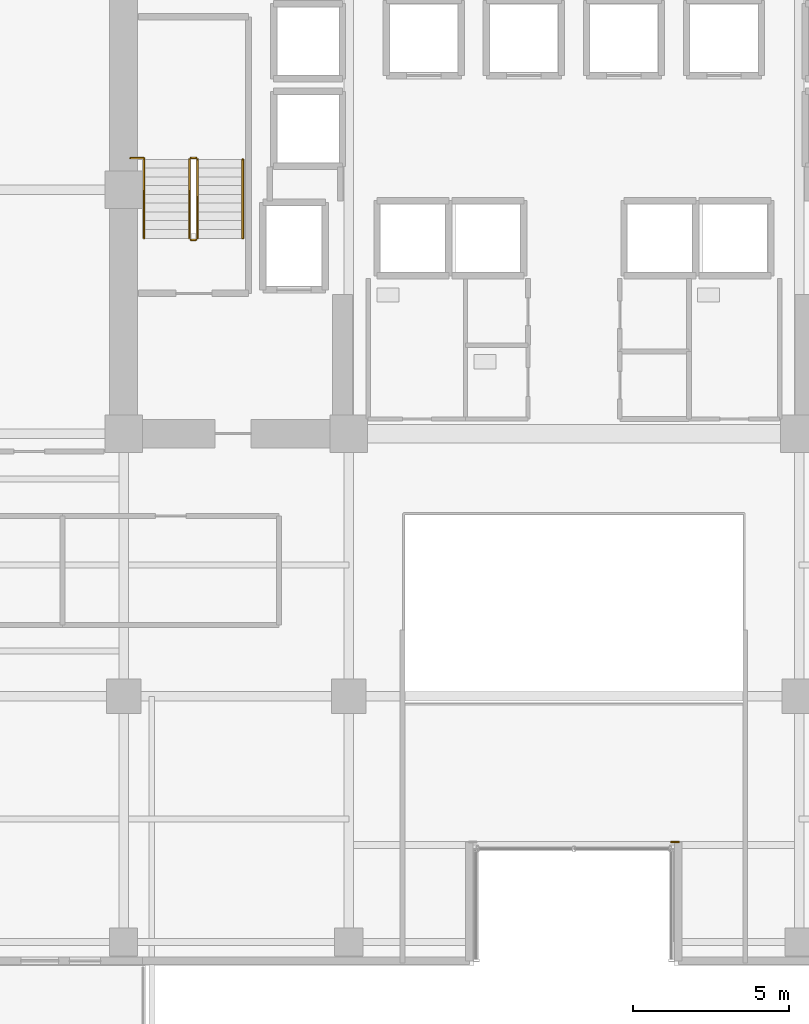
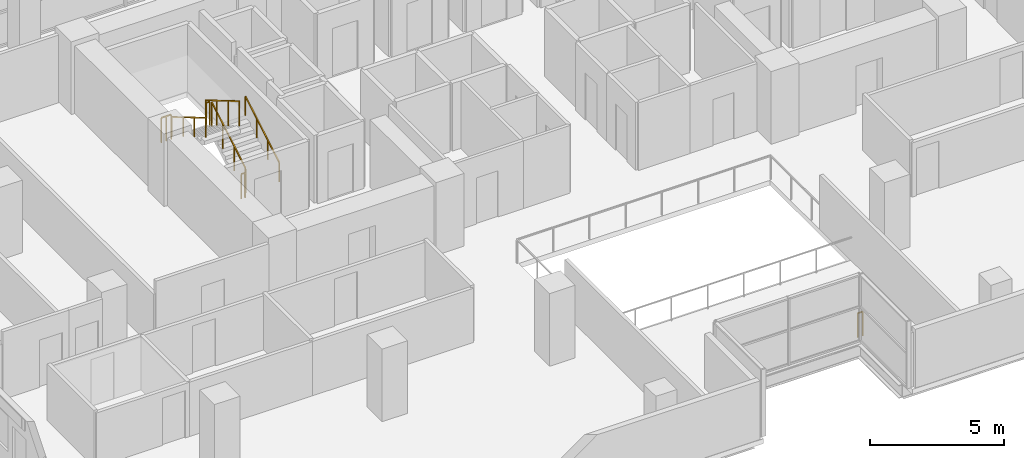
# One storey, part 29 of 31: 8 railings.
"""IFC4 building model written with IfcOpenShell, lengths in metres."""

from ifc_helpers import new_model, si_unit, direction, frame, origin, origin_2d, place, context, subcontext, project, spatial, rectangle, extrude, material, type_object, element, save


model = new_model("IFC4")

# Units and contexts
model_context = context("Model", 3, precision=1e-05, world=origin(), true_north=direction((0.0, 1.0)))
body_context = subcontext(model_context, "Body", "Model", "MODEL_VIEW")
ifc_project = project(units=[si_unit("LENGTHUNIT", "METRE"), si_unit("AREAUNIT", "SQUARE_METRE"), si_unit("VOLUMEUNIT", "CUBIC_METRE"), si_unit("PLANEANGLEUNIT", "RADIAN"), si_unit("MASSUNIT", "GRAM", prefix="KILO")], contexts=[model_context])

# Site, building, storey
site_placement = place(None, origin())
site = spatial("IfcSite", under=ifc_project, at=site_placement, CompositionType="ELEMENT")
building_placement = place(site_placement, origin())
building = spatial("IfcBuilding", under=site, at=building_placement, Name="Zarnakvel Exchange Tower", CompositionType="ELEMENT")
storey_placement = place(building_placement, frame((0.0, 0.0, 67.0)))
storey = spatial("IfcBuildingStorey", under=building, at=storey_placement, Name="L18", CompositionType="ELEMENT", Elevation=67.0)

# Railings
ifc_material_1 = material(Name="Architectural Bronze Anodised Aluminium", Category="aluminium")
railing_type_1 = type_object("IfcRailingType", Name="GR-02", PredefinedType="GUARDRAIL", material=ifc_material_1)
railing_1_placement = place(storey_placement, frame((3.340087890625, -14.260009765625, 0.0)))
element("IfcRailing", 1, at=railing_1_placement, inside=storey, type_object=railing_type_1, Name="L18 Corner Spandrel Balustrade #18", PredefinedType="GUARDRAIL", context=body_context, shape_type="SweptSolid", body=[
    extrude(rectangle(XDim=0.048095703125, YDim=0.048095703125, at=origin_2d()), frame((0.0, 0.0, 1.09619140625), z_axis=(-1.0, 0.0, 0.0), x_axis=(0.0, -1.0, 0.0)), (0.0, 0.0, 1.0), 0.219970703125),
    extrude(rectangle(XDim=0.0419921875, YDim=0.0419921875, at=origin_2d()), origin(), (0.0, 0.0, 1.0), 1.072021484375),
    extrude(rectangle(XDim=0.0419921875, YDim=0.0419921875, at=origin_2d()), frame((-0.219970703125, 0.0, 0.0)), (0.0, 0.0, 1.0), 1.072021484375),
])
ifc_material_2 = material(Name="Brushed Stainless Steel", Category="steel")
railing_type_2 = type_object("IfcRailingType", Name="HR-01", PredefinedType="HANDRAIL", material=ifc_material_2)
railing_2_placement = place(storey_placement, frame((-10.590087890625, 5.050048828125, 0.1650390625)))
element("IfcRailing", 2, at=railing_2_placement, inside=storey, type_object=railing_type_2, Name="L18 ST-01 stair handrail 1", PredefinedType="HANDRAIL", context=body_context, shape_type="SweptSolid", body=[
    extrude(rectangle(XDim=0.048095703125, YDim=0.048095703125, at=origin_2d()), frame((0.0, 0.0, 0.8759765625), z_axis=(0.0, 0.861560626758, 0.507654692109), x_axis=(-1.0, 0.0, 0.0)), (0.0, 0.0, 1.0), 2.925048828125),
    extrude(rectangle(XDim=0.0419921875, YDim=0.0419921875, at=origin_2d()), origin(), (0.0, 0.0, 1.0), 0.851806640625),
    extrude(rectangle(XDim=0.0419921875, YDim=0.0419921875, at=origin_2d()), frame((0.0, 0.840087890625, 0.494873046875)), (0.0, 0.0, 1.0), 0.851806640625),
    extrude(rectangle(XDim=0.0419921875, YDim=0.0419921875, at=origin_2d()), frame((0.0, 1.679931640625, 0.989990234375)), (0.0, 0.0, 1.0), 0.851806640625),
    extrude(rectangle(XDim=0.0419921875, YDim=0.0419921875, at=origin_2d()), frame((0.0, 2.52001953125, 1.48486328125)), (0.0, 0.0, 1.0), 0.851806640625),
])
railing_3_placement = place(storey_placement, frame((-13.75, 7.570068359375, 1.81494140625)))
element("IfcRailing", 3, at=railing_3_placement, inside=storey, type_object=railing_type_2, Name="L18 ST-01 stair handrail 2", PredefinedType="HANDRAIL", context=body_context, shape_type="SweptSolid", body=[
    extrude(rectangle(XDim=0.048095703125, YDim=0.048095703125, at=origin_2d()), frame((0.0, 0.0, 0.8759765625), z_axis=(0.0, -0.86152411907, 0.507716645641), x_axis=(1.0, 0.0, 0.0)), (0.0, 0.0, 1.0), 2.925048828125),
    extrude(rectangle(XDim=0.0419921875, YDim=0.0419921875, at=origin_2d()), origin(), (0.0, 0.0, 1.0), 0.851806640625),
    extrude(rectangle(XDim=0.0419921875, YDim=0.0419921875, at=origin_2d()), frame((0.0, -0.840087890625, 0.4951171875)), (0.0, 0.0, 1.0), 0.851806640625),
    extrude(rectangle(XDim=0.0419921875, YDim=0.0419921875, at=origin_2d()), frame((0.0, -1.679931640625, 0.989990234375)), (0.0, 0.0, 1.0), 0.851806640625),
    extrude(rectangle(XDim=0.0419921875, YDim=0.0419921875, at=origin_2d()), frame((0.0, -2.52001953125, 1.485107421875)), (0.0, 0.0, 1.0), 0.851806640625),
])
railing_type_3 = type_object("IfcRailingType", Name="SG-01", PredefinedType="GUARDRAIL", material=ifc_material_1)
railing_4_placement = place(storey_placement, frame((-12.0400390625, 5.050048828125, 0.1650390625)))
element("IfcRailing", 4, at=railing_4_placement, inside=storey, type_object=railing_type_3, Name="L18 ST-01 stair guard 1", PredefinedType="GUARDRAIL", context=body_context, shape_type="SweptSolid", body=[
    extrude(rectangle(XDim=0.048095703125, YDim=0.048095703125, at=origin_2d()), frame((0.0, 0.0, 1.1259765625), z_axis=(0.0, 0.861560626758, 0.507654692109), x_axis=(-1.0, 0.0, 0.0)), (0.0, 0.0, 1.0), 2.925048828125),
    extrude(rectangle(XDim=0.0419921875, YDim=0.0419921875, at=origin_2d()), origin(), (0.0, 0.0, 1.0), 1.101806640625),
    extrude(rectangle(XDim=0.0419921875, YDim=0.0419921875, at=origin_2d()), frame((0.0, 0.840087890625, 0.494873046875)), (0.0, 0.0, 1.0), 1.101806640625),
    extrude(rectangle(XDim=0.0419921875, YDim=0.0419921875, at=origin_2d()), frame((0.0, 1.679931640625, 0.989990234375)), (0.0, 0.0, 1.0), 1.101806640625),
    extrude(rectangle(XDim=0.0419921875, YDim=0.0419921875, at=origin_2d()), frame((0.0, 2.52001953125, 1.48486328125)), (0.0, 0.0, 1.0), 1.101806640625),
])
railing_5_placement = place(storey_placement, frame((-12.090087890625, 7.6201171875, 1.64990234375)))
element("IfcRailing", 5, at=railing_5_placement, inside=storey, type_object=railing_type_3, Name="L18 ST-01 stair guard 2", PredefinedType="GUARDRAIL", context=body_context, shape_type="SweptSolid", body=[
    extrude(rectangle(XDim=0.048095703125, YDim=0.048095703125, at=origin_2d()), frame((0.0, 0.0, 1.1259765625), z_axis=(-1.0, 0.0, 0.0), x_axis=(0.0, -1.0, 0.0)), (0.0, 0.0, 1.0), 0.159912109375),
    extrude(rectangle(XDim=0.0419921875, YDim=0.0419921875, at=origin_2d()), origin(), (0.0, 0.0, 1.0), 1.101806640625),
    extrude(rectangle(XDim=0.0419921875, YDim=0.0419921875, at=origin_2d()), frame((-0.159912109375, 0.0, 0.0)), (0.0, 0.0, 1.0), 1.101806640625),
])
railing_6_placement = place(storey_placement, frame((-12.300048828125, 7.570068359375, 1.81494140625)))
element("IfcRailing", 6, at=railing_6_placement, inside=storey, type_object=railing_type_3, Name="L18 ST-01 stair guard 3", PredefinedType="GUARDRAIL", context=body_context, shape_type="SweptSolid", body=[
    extrude(rectangle(XDim=0.048095703125, YDim=0.048095703125, at=origin_2d()), frame((0.0, 0.0, 1.1259765625), z_axis=(0.0, -0.86152411907, 0.507716645641), x_axis=(1.0, 0.0, 0.0)), (0.0, 0.0, 1.0), 2.925048828125),
    extrude(rectangle(XDim=0.0419921875, YDim=0.0419921875, at=origin_2d()), origin(), (0.0, 0.0, 1.0), 1.101806640625),
    extrude(rectangle(XDim=0.0419921875, YDim=0.0419921875, at=origin_2d()), frame((0.0, -0.840087890625, 0.4951171875)), (0.0, 0.0, 1.0), 1.101806640625),
    extrude(rectangle(XDim=0.0419921875, YDim=0.0419921875, at=origin_2d()), frame((0.0, -1.679931640625, 0.989990234375)), (0.0, 0.0, 1.0), 1.101806640625),
    extrude(rectangle(XDim=0.0419921875, YDim=0.0419921875, at=origin_2d()), frame((0.0, -2.52001953125, 1.485107421875)), (0.0, 0.0, 1.0), 1.101806640625),
])
railing_7_placement = place(storey_placement, frame((-12.090087890625, 5.0, 0.0)))
element("IfcRailing", 7, at=railing_7_placement, inside=storey, type_object=railing_type_3, Name="L18 ST-01 stair guard 4", PredefinedType="GUARDRAIL", context=body_context, shape_type="SweptSolid", body=[
    extrude(rectangle(XDim=0.048095703125, YDim=0.048095703125, at=origin_2d()), frame((0.0, 0.0, 1.1259765625), z_axis=(-1.0, 0.0, 0.0), x_axis=(0.0, -1.0, 0.0)), (0.0, 0.0, 1.0), 0.159912109375),
    extrude(rectangle(XDim=0.0419921875, YDim=0.0419921875, at=origin_2d()), origin(), (0.0, 0.0, 1.0), 1.101806640625),
    extrude(rectangle(XDim=0.0419921875, YDim=0.0419921875, at=origin_2d()), frame((-0.159912109375, 0.0, 0.0)), (0.0, 0.0, 1.0), 1.101806640625),
])
railing_8_placement = place(storey_placement, frame((-14.179931640625, 7.610107421875, 1.64990234375)))
element("IfcRailing", 8, at=railing_8_placement, inside=storey, type_object=railing_type_3, Name="L18 ST-01 Landing Slot Guardrail", PredefinedType="GUARDRAIL", context=body_context, shape_type="SweptSolid", body=[
    extrude(rectangle(XDim=0.048095703125, YDim=0.048095703125, at=origin_2d()), frame((0.0, 0.0, 1.1259765625), z_axis=(1.0, 0.0, 0.0), x_axis=(0.0, 1.0, 0.0)), (0.0, 0.0, 1.0), 0.429931640625),
    extrude(rectangle(XDim=0.0419921875, YDim=0.0419921875, at=origin_2d()), origin(), (0.0, 0.0, 1.0), 1.101806640625),
    extrude(rectangle(XDim=0.0419921875, YDim=0.0419921875, at=origin_2d()), frame((0.21484375, 0.0, 0.0)), (0.0, 0.0, 1.0), 1.101806640625),
    extrude(rectangle(XDim=0.0419921875, YDim=0.0419921875, at=origin_2d()), frame((0.429931640625, 0.0, 0.0)), (0.0, 0.0, 1.0), 1.101806640625),
])

save(model, "model.ifc")
